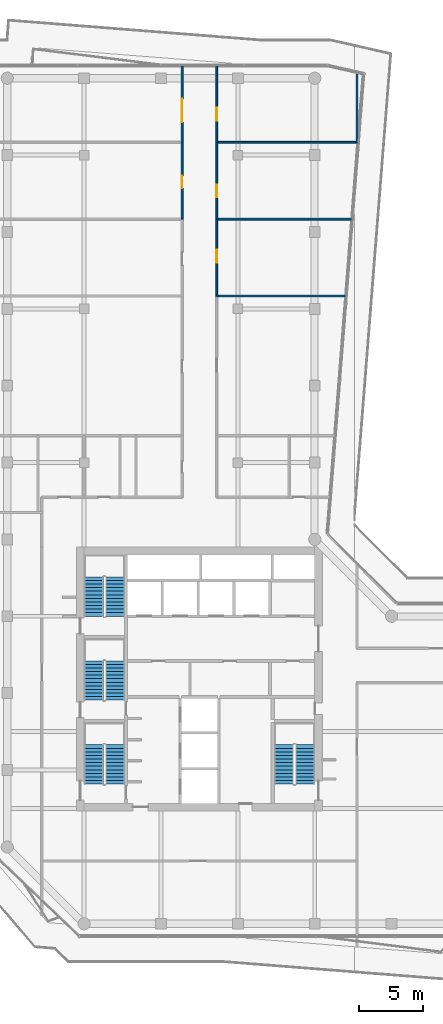
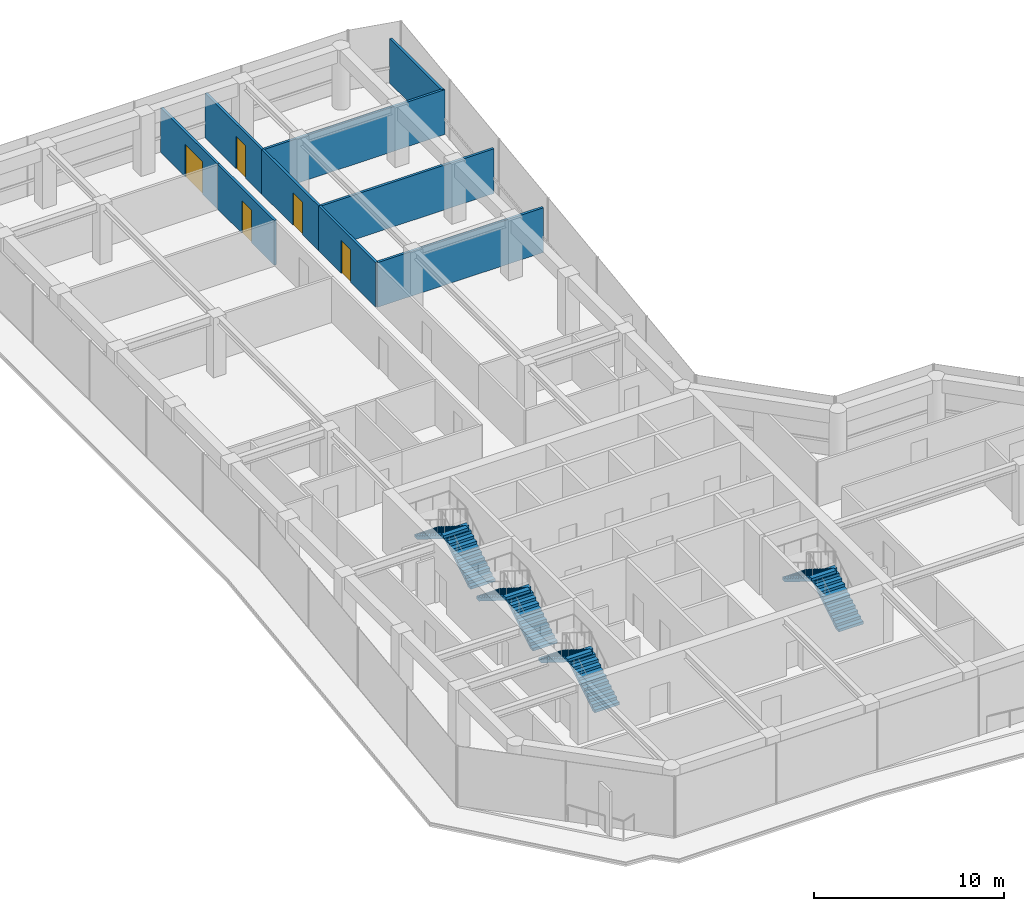
# One storey, part 20 of 22: 9 walls, 8 stair flights, 5 doors, 5 openings, 4 elements without a shape of their own.
"""IFC4 building model written with IfcOpenShell, lengths in metres."""

from ifc_helpers import new_model, si_unit, direction, frame, frame_2d, origin, place, context, subcontext, project, spatial, polyline, rectangle, outline, extrude, material, layer, layer_set, type_object, element, fill, aggregate, save


model = new_model("IFC4")

# Units and contexts
model_context = context("Model", 3, precision=1e-05, world=origin(), true_north=direction((0.0, 1.0)))
body_context = subcontext(model_context, "Body", "Model", "MODEL_VIEW")
ifc_project = project(units=[si_unit("LENGTHUNIT", "METRE"), si_unit("AREAUNIT", "SQUARE_METRE"), si_unit("VOLUMEUNIT", "CUBIC_METRE"), si_unit("PLANEANGLEUNIT", "RADIAN"), si_unit("MASSUNIT", "GRAM", prefix="KILO")], contexts=[model_context])

# Site, building, storey
site_placement = place(None, origin())
site = spatial("IfcSite", under=ifc_project, at=site_placement, CompositionType="ELEMENT")
building_placement = place(site_placement, origin())
building = spatial("IfcBuilding", under=site, at=building_placement, Name="Welwitschia Terrace Campus", CompositionType="ELEMENT")
storey_placement = place(building_placement, frame((0.0, 0.0, 150.800048828125)))
storey = spatial("IfcBuildingStorey", under=building, at=storey_placement, Name="L33", CompositionType="ELEMENT", Elevation=150.800048828125)

# Wall, opening, door
ifc_material_1 = material(Name="Gypsum board on steel studs", Category="steel")
ifc_layer = layer(ifc_material_1, 0.14990234375)
ifc_layer_set = layer_set([ifc_layer], Name="Gypsum board on steel studs")
wall_type = type_object("IfcWallType", Name="Corridor partition 150 EI 30", PredefinedType="PARTITIONING", material=ifc_layer_set)
wall_1_placement = place(storey_placement, frame((13.64990234375, 51.0, 0.0), z_axis=(0.0, 0.0, 1.0), x_axis=(0.0, 1.0, 0.0)))
wall_1 = element("IfcWall", 1, at=wall_1_placement, inside=storey, type_object=wall_type, Name="Partition", PredefinedType="PARTITIONING", context=body_context, shape_type="SweptSolid", body=[
    extrude(rectangle(XDim=6.0, YDim=0.14990234375, at=frame_2d((3.0, 0.0))), origin(), (0.0, 0.0, 1.0), 2.8798828125),
])
opening_1_placement = place(wall_1_placement, frame((2.39990234375, 0.0, 0.0)))
opening_1 = element("IfcOpeningElement", 2, at=opening_1_placement, cuts=wall_1, Name="Opening DI10", PredefinedType="OPENING", context=body_context, shape_type="SweptSolid", body=[
    extrude(rectangle(XDim=1.0, YDim=2.10009765625, at=frame_2d((0.5, 1.050048828125))), frame((0.0, 0.0849609375, 0.0), z_axis=(0.0, -1.0, 0.0), x_axis=(1.0, 0.0, 0.0)), (0.0, 0.0, 1.0), 0.169921875),
])
ifc_material_2 = material(Name="Timber veneered door", Category="wood")
door_type_1 = type_object("IfcDoorType", Name="Interior door DI10", OperationType="NOTDEFINED", PredefinedType="DOOR", material=ifc_material_2)
door_1_placement = place(opening_1_placement, origin())
door_1 = element("IfcDoor", 3, at=door_1_placement, inside=storey, type_object=door_type_1, Name="Door L33 682", OperationType="SINGLE_SWING_LEFT", OverallHeight=2.10009765625, OverallWidth=1.0, PredefinedType="DOOR", context=body_context, shape_type="SweptSolid", body=[
    extrude(rectangle(XDim=1.0, YDim=2.10009765625, at=frame_2d((0.5, 1.050048828125))), frame((0.0, 0.02490234375, 0.0), z_axis=(0.0, -1.0, 0.0), x_axis=(1.0, 0.0, 0.0)), (0.0, 0.0, 1.0), 0.050048828125),
])
fill(opening_1, door_1)

wall_2_placement = place(storey_placement, frame((13.64990234375, 62.97998046875, 0.0), z_axis=(0.0, 0.0, 1.0), x_axis=(0.0, -1.0, 0.0)))
wall_2 = element("IfcWall", 4, at=wall_2_placement, inside=storey, type_object=wall_type, Name="Partition", PredefinedType="PARTITIONING", context=body_context, shape_type="SweptSolid", body=[
    extrude(rectangle(XDim=5.97998046875, YDim=0.14990234375, at=frame_2d((2.989990234375, 0.0))), origin(), (0.0, 0.0, 1.0), 2.8798828125),
])
opening_2_placement = place(wall_2_placement, frame((2.60009765625, 0.0, 0.0)))
opening_2 = element("IfcOpeningElement", 5, at=opening_2_placement, cuts=wall_2, Name="Opening DI18", PredefinedType="OPENING", context=body_context, shape_type="SweptSolid", body=[
    extrude(rectangle(XDim=1.800048828125, YDim=2.10009765625, at=frame_2d((0.89990234375, 1.050048828125))), frame((0.0, 0.0849609375, 0.0), z_axis=(0.0, -1.0, 0.0), x_axis=(1.0, 0.0, 0.0)), (0.0, 0.0, 1.0), 0.169921875),
])
ifc_material_3 = material(Name="Timber veneered door", Category="wood")
door_type_2 = type_object("IfcDoorType", Name="Interior door DI18", OperationType="DOUBLE_DOOR_SINGLE_SWING", PredefinedType="DOOR", material=ifc_material_3)
door_2_placement = place(opening_2_placement, origin())
door_2 = element("IfcDoor", 6, at=door_2_placement, inside=storey, type_object=door_type_2, Name="Door L33 683", OperationType="SINGLE_SWING_LEFT", OverallHeight=2.10009765625, OverallWidth=1.800048828125, PredefinedType="DOOR", context=body_context, shape_type="SweptSolid", body=[
    extrude(rectangle(XDim=1.800048828125, YDim=2.10009765625, at=frame_2d((0.89990234375, 1.050048828125))), frame((0.0, 0.02490234375, 0.0), z_axis=(0.0, -1.0, 0.0), x_axis=(1.0, 0.0, 0.0)), (0.0, 0.0, 1.0), 0.050048828125),
])
fill(opening_2, door_2)

# Wall
wall_3_placement = place(storey_placement, frame((16.35009765625, 45.0, 0.0), z_axis=(0.0, 0.0, 1.0), x_axis=(1.0, 0.0, 0.0)))
element("IfcWall", 7, at=wall_3_placement, inside=storey, type_object=wall_type, Name="Partition", PredefinedType="PARTITIONING", context=body_context, shape_type="SweptSolid", body=[
    extrude(rectangle(XDim=10.10986328125, YDim=0.14990234375, at=frame_2d((5.054931640625, 0.0))), origin(), (0.0, 0.0, 1.0), 2.8798828125),
])

# Wall, opening, door
wall_4_placement = place(storey_placement, frame((16.35009765625, 51.0, 0.0), z_axis=(0.0, 0.0, 1.0), x_axis=(0.0, -1.0, 0.0)))
wall_4 = element("IfcWall", 8, at=wall_4_placement, inside=storey, type_object=wall_type, Name="Partition", PredefinedType="PARTITIONING", context=body_context, shape_type="SweptSolid", body=[
    extrude(rectangle(XDim=6.0, YDim=0.14990234375, at=frame_2d((3.0, 0.0))), origin(), (0.0, 0.0, 1.0), 2.8798828125),
])
opening_3_placement = place(wall_4_placement, frame((2.39990234375, 0.0, 0.0)))
opening_3 = element("IfcOpeningElement", 9, at=opening_3_placement, cuts=wall_4, Name="Opening DI10", PredefinedType="OPENING", context=body_context, shape_type="SweptSolid", body=[
    extrude(rectangle(XDim=1.0, YDim=2.10009765625, at=frame_2d((0.5, 1.050048828125))), frame((0.0, 0.0849609375, 0.0), z_axis=(0.0, -1.0, 0.0), x_axis=(1.0, 0.0, 0.0)), (0.0, 0.0, 1.0), 0.169921875),
])
door_3_placement = place(opening_3_placement, origin())
door_3 = element("IfcDoor", 10, at=door_3_placement, inside=storey, type_object=door_type_1, Name="Door L33 685", OperationType="SINGLE_SWING_RIGHT", OverallHeight=2.10009765625, OverallWidth=1.0, PredefinedType="DOOR", context=body_context, shape_type="SweptSolid", body=[
    extrude(rectangle(XDim=1.0, YDim=2.10009765625, at=frame_2d((0.5, 1.050048828125))), frame((0.0, 0.02490234375, 0.0), z_axis=(0.0, -1.0, 0.0), x_axis=(1.0, 0.0, 0.0)), (0.0, 0.0, 1.0), 0.050048828125),
])
fill(opening_3, door_3)

# Wall
wall_5_placement = place(storey_placement, frame((16.35009765625, 51.0, 0.0), z_axis=(0.0, 0.0, 1.0), x_axis=(1.0, 0.0, 0.0)))
element("IfcWall", 11, at=wall_5_placement, inside=storey, type_object=wall_type, Name="Partition", PredefinedType="PARTITIONING", context=body_context, shape_type="SweptSolid", body=[
    extrude(rectangle(XDim=10.579833984375, YDim=0.14990234375, at=frame_2d((5.2900390625, 0.0))), origin(), (0.0, 0.0, 1.0), 2.8798828125),
])

# Wall, opening, door
wall_6_placement = place(storey_placement, frame((16.35009765625, 57.0, 0.0), z_axis=(0.0, 0.0, 1.0), x_axis=(0.0, -1.0, 0.0)))
wall_6 = element("IfcWall", 12, at=wall_6_placement, inside=storey, type_object=wall_type, Name="Partition", PredefinedType="PARTITIONING", context=body_context, shape_type="SweptSolid", body=[
    extrude(rectangle(XDim=6.0, YDim=0.14990234375, at=frame_2d((3.0, 0.0))), origin(), (0.0, 0.0, 1.0), 2.8798828125),
])
opening_4_placement = place(wall_6_placement, frame((3.300048828125, 0.0, 0.0)))
opening_4 = element("IfcOpeningElement", 13, at=opening_4_placement, cuts=wall_6, Name="Opening DI10", PredefinedType="OPENING", context=body_context, shape_type="SweptSolid", body=[
    extrude(rectangle(XDim=1.0, YDim=2.10009765625, at=frame_2d((0.5, 1.050048828125))), frame((0.0, 0.0849609375, 0.0), z_axis=(0.0, -1.0, 0.0), x_axis=(1.0, 0.0, 0.0)), (0.0, 0.0, 1.0), 0.169921875),
])
door_4_placement = place(opening_4_placement, origin())
door_4 = element("IfcDoor", 14, at=door_4_placement, inside=storey, type_object=door_type_1, Name="Door L33 686", OperationType="SINGLE_SWING_LEFT", OverallHeight=2.10009765625, OverallWidth=1.0, PredefinedType="DOOR", context=body_context, shape_type="SweptSolid", body=[
    extrude(rectangle(XDim=1.0, YDim=2.10009765625, at=frame_2d((0.5, 1.050048828125))), frame((0.0, 0.02490234375, 0.0), z_axis=(0.0, -1.0, 0.0), x_axis=(1.0, 0.0, 0.0)), (0.0, 0.0, 1.0), 0.050048828125),
])
fill(opening_4, door_4)

# Wall
wall_7_placement = place(storey_placement, frame((16.35009765625, 57.0, 0.0), z_axis=(0.0, 0.0, 1.0), x_axis=(1.0, 0.0, 0.0)))
element("IfcWall", 15, at=wall_7_placement, inside=storey, type_object=wall_type, Name="Partition", PredefinedType="PARTITIONING", context=body_context, shape_type="SweptSolid", body=[
    extrude(rectangle(XDim=11.045166015625, YDim=0.14990234375, at=frame_2d((5.5224609375, 0.0))), origin(), (0.0, 0.0, 1.0), 2.8798828125),
])

# Wall, opening, door
wall_8_placement = place(storey_placement, frame((16.35009765625, 62.97998046875, 0.0), z_axis=(0.0, 0.0, 1.0), x_axis=(0.0, -1.0, 0.0)))
wall_8 = element("IfcWall", 16, at=wall_8_placement, inside=storey, type_object=wall_type, Name="Partition", PredefinedType="PARTITIONING", context=body_context, shape_type="SweptSolid", body=[
    extrude(rectangle(XDim=5.97998046875, YDim=0.14990234375, at=frame_2d((2.989990234375, 0.0))), origin(), (0.0, 0.0, 1.0), 2.8798828125),
])
opening_5_placement = place(wall_8_placement, frame((3.280029296875, 0.0, 0.0)))
opening_5 = element("IfcOpeningElement", 17, at=opening_5_placement, cuts=wall_8, Name="Opening DI10", PredefinedType="OPENING", context=body_context, shape_type="SweptSolid", body=[
    extrude(rectangle(XDim=1.0, YDim=2.10009765625, at=frame_2d((0.5, 1.050048828125))), frame((0.0, 0.0849609375, 0.0), z_axis=(0.0, -1.0, 0.0), x_axis=(1.0, 0.0, 0.0)), (0.0, 0.0, 1.0), 0.169921875),
])
door_5_placement = place(opening_5_placement, origin())
door_5 = element("IfcDoor", 18, at=door_5_placement, inside=storey, type_object=door_type_1, Name="Door L33 687", OperationType="SINGLE_SWING_RIGHT", OverallHeight=2.10009765625, OverallWidth=1.0, PredefinedType="DOOR", context=body_context, shape_type="SweptSolid", body=[
    extrude(rectangle(XDim=1.0, YDim=2.10009765625, at=frame_2d((0.5, 1.050048828125))), frame((0.0, 0.02490234375, 0.0), z_axis=(0.0, -1.0, 0.0), x_axis=(1.0, 0.0, 0.0)), (0.0, 0.0, 1.0), 0.050048828125),
])
fill(opening_5, door_5)

# Wall
wall_9_placement = place(storey_placement, frame((27.300048828125, 57.0, 0.0), z_axis=(0.0, 0.0, 1.0), x_axis=(0.0, 1.0, 0.0)))
element("IfcWall", 19, at=wall_9_placement, inside=storey, type_object=wall_type, Name="Partition", PredefinedType="PARTITIONING", context=body_context, shape_type="SweptSolid", body=[
    extrude(rectangle(XDim=5.4599609375, YDim=0.14990234375, at=frame_2d((2.72998046875, 0.0))), origin(), (0.0, 0.0, 1.0), 2.8798828125),
])

# Stair, stair flights
ifc_material_4 = material(Name="Concrete C40/50", Category="concrete")
stair_type = type_object("IfcStairType", Name="Stair 24R 175 W1500", PredefinedType="HALF_TURN_STAIR", material=ifc_material_4)
stair_1_placement = place(storey_placement, origin())
stair_1 = element("IfcStair", 20, at=stair_1_placement, inside=storey, type_object=stair_type, Name="L33 Exit stair S1", PredefinedType="HALF_TURN_STAIR")
ifc_material_5 = material(Name="Concrete C40/50", Category="concrete")
stair_flight_type = type_object("IfcStairFlightType", Name="Stair flight 24R 175 W1500", PredefinedType="STRAIGHT", material=ifc_material_5)
stair_flight_1_placement = place(storey_placement, frame((8.39990234375, 6.89990234375, 0.0), z_axis=(0.0, 0.0, 1.0), x_axis=(0.0, 1.0, 0.0)))
stair_flight_1 = element("IfcStairFlight", 21, at=stair_flight_1_placement, type_object=stair_flight_type, Name="S1 flight 1", NumberOfRisers=12, NumberOfTreads=11, PredefinedType="STRAIGHT", RiserHeight=0.175, TreadLength=0.28, context=body_context, shape_type="SweptSolid", body=[
    extrude(outline(polyline([(0.0, 0.0), (0.0, 0.175048828125), (0.280029296875, 0.175048828125), (0.280029296875, 0.35009765625), (0.56005859375, 0.35009765625), (0.56005859375, 0.52490234375), (0.840087890625, 0.52490234375), (0.840087890625, 0.699951171875), (1.1201171875, 0.699951171875), (1.1201171875, 0.875), (1.39990234375, 0.875), (1.39990234375, 1.050048828125), (1.679931640625, 1.050048828125), (1.679931640625, 1.22509765625), (1.9599609375, 1.22509765625), (1.9599609375, 1.39990234375), (2.239990234375, 1.39990234375), (2.239990234375, 1.574951171875), (2.52001953125, 1.574951171875), (2.52001953125, 1.75), (2.800048828125, 1.75), (2.800048828125, 1.925048828125), (3.080078125, 1.925048828125), (3.080078125, 2.10009765625), (3.080078125, 1.748291015625), (0.28271484375, 0.0), (0.0, 0.0)])), frame((0.0, 0.75, 0.0), z_axis=(0.0, -1.0, 0.0), x_axis=(1.0, 0.0, 0.0)), (0.0, 0.0, 1.0), 1.5),
])
stair_flight_2_placement = place(storey_placement, frame((6.75, 9.97998046875, 2.099853515625), z_axis=(0.0, 0.0, 1.0), x_axis=(0.0, -1.0, 0.0)))
stair_flight_2 = element("IfcStairFlight", 22, at=stair_flight_2_placement, type_object=stair_flight_type, Name="S1 flight 2", NumberOfRisers=12, NumberOfTreads=11, PredefinedType="STRAIGHT", RiserHeight=0.175, TreadLength=0.28, context=body_context, shape_type="SweptSolid", body=[
    extrude(outline(polyline([(0.0, 0.0), (0.0, 0.175048828125), (0.280029296875, 0.175048828125), (0.280029296875, 0.35009765625), (0.56005859375, 0.35009765625), (0.56005859375, 0.52490234375), (0.840087890625, 0.52490234375), (0.840087890625, 0.699951171875), (1.1201171875, 0.699951171875), (1.1201171875, 0.875), (1.39990234375, 0.875), (1.39990234375, 1.050048828125), (1.679931640625, 1.050048828125), (1.679931640625, 1.22509765625), (1.9599609375, 1.22509765625), (1.9599609375, 1.39990234375), (2.239990234375, 1.39990234375), (2.239990234375, 1.574951171875), (2.52001953125, 1.574951171875), (2.52001953125, 1.75), (2.800048828125, 1.75), (2.800048828125, 1.925048828125), (3.080078125, 1.925048828125), (3.080078125, 2.10009765625), (3.080078125, 1.748291015625), (0.28271484375, 0.0), (0.0, 0.0)])), frame((0.0, 0.75, 0.0), z_axis=(0.0, -1.0, 0.0), x_axis=(1.0, 0.0, 0.0)), (0.0, 0.0, 1.0), 1.5),
])
aggregate(stair_1, [stair_flight_1, stair_flight_2])

stair_2_placement = place(storey_placement, origin())
stair_2 = element("IfcStair", 23, at=stair_2_placement, inside=storey, type_object=stair_type, Name="L33 Exit stair S3", PredefinedType="HALF_TURN_STAIR")
stair_flight_3_placement = place(storey_placement, frame((8.39990234375, 13.449951171875, 0.0), z_axis=(0.0, 0.0, 1.0), x_axis=(0.0, 1.0, 0.0)))
stair_flight_3 = element("IfcStairFlight", 24, at=stair_flight_3_placement, type_object=stair_flight_type, Name="S3 flight 1", NumberOfRisers=12, NumberOfTreads=11, PredefinedType="STRAIGHT", RiserHeight=0.175, TreadLength=0.28, context=body_context, shape_type="SweptSolid", body=[
    extrude(outline(polyline([(0.0, 0.0), (0.0, 0.175048828125), (0.280029296875, 0.175048828125), (0.280029296875, 0.35009765625), (0.56005859375, 0.35009765625), (0.56005859375, 0.52490234375), (0.840087890625, 0.52490234375), (0.840087890625, 0.699951171875), (1.1201171875, 0.699951171875), (1.1201171875, 0.875), (1.39990234375, 0.875), (1.39990234375, 1.050048828125), (1.679931640625, 1.050048828125), (1.679931640625, 1.22509765625), (1.9599609375, 1.22509765625), (1.9599609375, 1.39990234375), (2.239990234375, 1.39990234375), (2.239990234375, 1.574951171875), (2.52001953125, 1.574951171875), (2.52001953125, 1.75), (2.800048828125, 1.75), (2.800048828125, 1.925048828125), (3.080078125, 1.925048828125), (3.080078125, 2.10009765625), (3.080078125, 1.748291015625), (0.28271484375, 0.0), (0.0, 0.0)])), frame((0.0, 0.75, 0.0), z_axis=(0.0, -1.0, 0.0), x_axis=(1.0, 0.0, 0.0)), (0.0, 0.0, 1.0), 1.5),
])
stair_flight_4_placement = place(storey_placement, frame((6.75, 16.530029296875, 2.099853515625), z_axis=(0.0, 0.0, 1.0), x_axis=(0.0, -1.0, 0.0)))
stair_flight_4 = element("IfcStairFlight", 25, at=stair_flight_4_placement, type_object=stair_flight_type, Name="S3 flight 2", NumberOfRisers=12, NumberOfTreads=11, PredefinedType="STRAIGHT", RiserHeight=0.175, TreadLength=0.28, context=body_context, shape_type="SweptSolid", body=[
    extrude(outline(polyline([(0.0, 0.0), (0.0, 0.175048828125), (0.280029296875, 0.175048828125), (0.280029296875, 0.35009765625), (0.56005859375, 0.35009765625), (0.56005859375, 0.52490234375), (0.840087890625, 0.52490234375), (0.840087890625, 0.699951171875), (1.1201171875, 0.699951171875), (1.1201171875, 0.875), (1.39990234375, 0.875), (1.39990234375, 1.050048828125), (1.679931640625, 1.050048828125), (1.679931640625, 1.22509765625), (1.9599609375, 1.22509765625), (1.9599609375, 1.39990234375), (2.239990234375, 1.39990234375), (2.239990234375, 1.574951171875), (2.52001953125, 1.574951171875), (2.52001953125, 1.75), (2.800048828125, 1.75), (2.800048828125, 1.925048828125), (3.080078125, 1.925048828125), (3.080078125, 2.10009765625), (3.080078125, 1.748291015625), (0.28271484375, 0.0), (0.0, 0.0)])), frame((0.0, 0.75, 0.0), z_axis=(0.0, -1.0, 0.0), x_axis=(1.0, 0.0, 0.0)), (0.0, 0.0, 1.0), 1.5),
])
aggregate(stair_2, [stair_flight_3, stair_flight_4])

stair_3_placement = place(storey_placement, origin())
stair_3 = element("IfcStair", 26, at=stair_3_placement, inside=storey, type_object=stair_type, Name="L33 Exit stair S4", PredefinedType="HALF_TURN_STAIR")
stair_flight_5_placement = place(storey_placement, frame((8.39990234375, 20.0, 0.0), z_axis=(0.0, 0.0, 1.0), x_axis=(0.0, 1.0, 0.0)))
stair_flight_5 = element("IfcStairFlight", 27, at=stair_flight_5_placement, type_object=stair_flight_type, Name="S4 flight 1", NumberOfRisers=12, NumberOfTreads=11, PredefinedType="STRAIGHT", RiserHeight=0.175, TreadLength=0.28, context=body_context, shape_type="SweptSolid", body=[
    extrude(outline(polyline([(0.0, 0.0), (0.0, 0.175048828125), (0.280029296875, 0.175048828125), (0.280029296875, 0.35009765625), (0.56005859375, 0.35009765625), (0.56005859375, 0.52490234375), (0.840087890625, 0.52490234375), (0.840087890625, 0.699951171875), (1.1201171875, 0.699951171875), (1.1201171875, 0.875), (1.39990234375, 0.875), (1.39990234375, 1.050048828125), (1.679931640625, 1.050048828125), (1.679931640625, 1.22509765625), (1.9599609375, 1.22509765625), (1.9599609375, 1.39990234375), (2.239990234375, 1.39990234375), (2.239990234375, 1.574951171875), (2.52001953125, 1.574951171875), (2.52001953125, 1.75), (2.800048828125, 1.75), (2.800048828125, 1.925048828125), (3.080078125, 1.925048828125), (3.080078125, 2.10009765625), (3.080078125, 1.748291015625), (0.28271484375, 0.0), (0.0, 0.0)])), frame((0.0, 0.75, 0.0), z_axis=(0.0, -1.0, 0.0), x_axis=(1.0, 0.0, 0.0)), (0.0, 0.0, 1.0), 1.5),
])
stair_flight_6_placement = place(storey_placement, frame((6.75, 23.080078125, 2.099853515625), z_axis=(0.0, 0.0, 1.0), x_axis=(0.0, -1.0, 0.0)))
stair_flight_6 = element("IfcStairFlight", 28, at=stair_flight_6_placement, type_object=stair_flight_type, Name="S4 flight 2", NumberOfRisers=12, NumberOfTreads=11, PredefinedType="STRAIGHT", RiserHeight=0.175, TreadLength=0.28, context=body_context, shape_type="SweptSolid", body=[
    extrude(outline(polyline([(0.0, 0.0), (0.0, 0.175048828125), (0.280029296875, 0.175048828125), (0.280029296875, 0.35009765625), (0.56005859375, 0.35009765625), (0.56005859375, 0.52490234375), (0.840087890625, 0.52490234375), (0.840087890625, 0.699951171875), (1.1201171875, 0.699951171875), (1.1201171875, 0.875), (1.39990234375, 0.875), (1.39990234375, 1.050048828125), (1.679931640625, 1.050048828125), (1.679931640625, 1.22509765625), (1.9599609375, 1.22509765625), (1.9599609375, 1.39990234375), (2.239990234375, 1.39990234375), (2.239990234375, 1.574951171875), (2.52001953125, 1.574951171875), (2.52001953125, 1.75), (2.800048828125, 1.75), (2.800048828125, 1.925048828125), (3.080078125, 1.925048828125), (3.080078125, 2.10009765625), (3.080078125, 1.748291015625), (0.28271484375, 0.0), (0.0, 0.0)])), frame((0.0, 0.75, 0.0), z_axis=(0.0, -1.0, 0.0), x_axis=(1.0, 0.0, 0.0)), (0.0, 0.0, 1.0), 1.5),
])
aggregate(stair_3, [stair_flight_5, stair_flight_6])

stair_4_placement = place(storey_placement, origin())
stair_4 = element("IfcStair", 29, at=stair_4_placement, inside=storey, type_object=stair_type, Name="L33 Exit stair S2", PredefinedType="HALF_TURN_STAIR")
stair_flight_7_placement = place(storey_placement, frame((23.25, 6.89990234375, 0.0), z_axis=(0.0, 0.0, 1.0), x_axis=(0.0, 1.0, 0.0)))
stair_flight_7 = element("IfcStairFlight", 30, at=stair_flight_7_placement, type_object=stair_flight_type, Name="S2 flight 1", NumberOfRisers=12, NumberOfTreads=11, PredefinedType="STRAIGHT", RiserHeight=0.175, TreadLength=0.28, context=body_context, shape_type="SweptSolid", body=[
    extrude(outline(polyline([(0.0, 0.0), (0.0, 0.175048828125), (0.280029296875, 0.175048828125), (0.280029296875, 0.35009765625), (0.56005859375, 0.35009765625), (0.56005859375, 0.52490234375), (0.840087890625, 0.52490234375), (0.840087890625, 0.699951171875), (1.1201171875, 0.699951171875), (1.1201171875, 0.875), (1.39990234375, 0.875), (1.39990234375, 1.050048828125), (1.679931640625, 1.050048828125), (1.679931640625, 1.22509765625), (1.9599609375, 1.22509765625), (1.9599609375, 1.39990234375), (2.239990234375, 1.39990234375), (2.239990234375, 1.574951171875), (2.52001953125, 1.574951171875), (2.52001953125, 1.75), (2.800048828125, 1.75), (2.800048828125, 1.925048828125), (3.080078125, 1.925048828125), (3.080078125, 2.10009765625), (3.080078125, 1.748291015625), (0.28271484375, 0.0), (0.0, 0.0)])), frame((0.0, 0.75, 0.0), z_axis=(0.0, -1.0, 0.0), x_axis=(1.0, 0.0, 0.0)), (0.0, 0.0, 1.0), 1.5),
])
stair_flight_8_placement = place(storey_placement, frame((21.60009765625, 9.97998046875, 2.099853515625), z_axis=(0.0, 0.0, 1.0), x_axis=(0.0, -1.0, 0.0)))
stair_flight_8 = element("IfcStairFlight", 31, at=stair_flight_8_placement, type_object=stair_flight_type, Name="S2 flight 2", NumberOfRisers=12, NumberOfTreads=11, PredefinedType="STRAIGHT", RiserHeight=0.175, TreadLength=0.28, context=body_context, shape_type="SweptSolid", body=[
    extrude(outline(polyline([(0.0, 0.0), (0.0, 0.175048828125), (0.280029296875, 0.175048828125), (0.280029296875, 0.35009765625), (0.56005859375, 0.35009765625), (0.56005859375, 0.52490234375), (0.840087890625, 0.52490234375), (0.840087890625, 0.699951171875), (1.1201171875, 0.699951171875), (1.1201171875, 0.875), (1.39990234375, 0.875), (1.39990234375, 1.050048828125), (1.679931640625, 1.050048828125), (1.679931640625, 1.22509765625), (1.9599609375, 1.22509765625), (1.9599609375, 1.39990234375), (2.239990234375, 1.39990234375), (2.239990234375, 1.574951171875), (2.52001953125, 1.574951171875), (2.52001953125, 1.75), (2.800048828125, 1.75), (2.800048828125, 1.925048828125), (3.080078125, 1.925048828125), (3.080078125, 2.10009765625), (3.080078125, 1.748291015625), (0.28271484375, 0.0), (0.0, 0.0)])), frame((0.0, 0.75, 0.0), z_axis=(0.0, -1.0, 0.0), x_axis=(1.0, 0.0, 0.0)), (0.0, 0.0, 1.0), 1.5),
])
aggregate(stair_4, [stair_flight_7, stair_flight_8])

save(model, "model.ifc")
